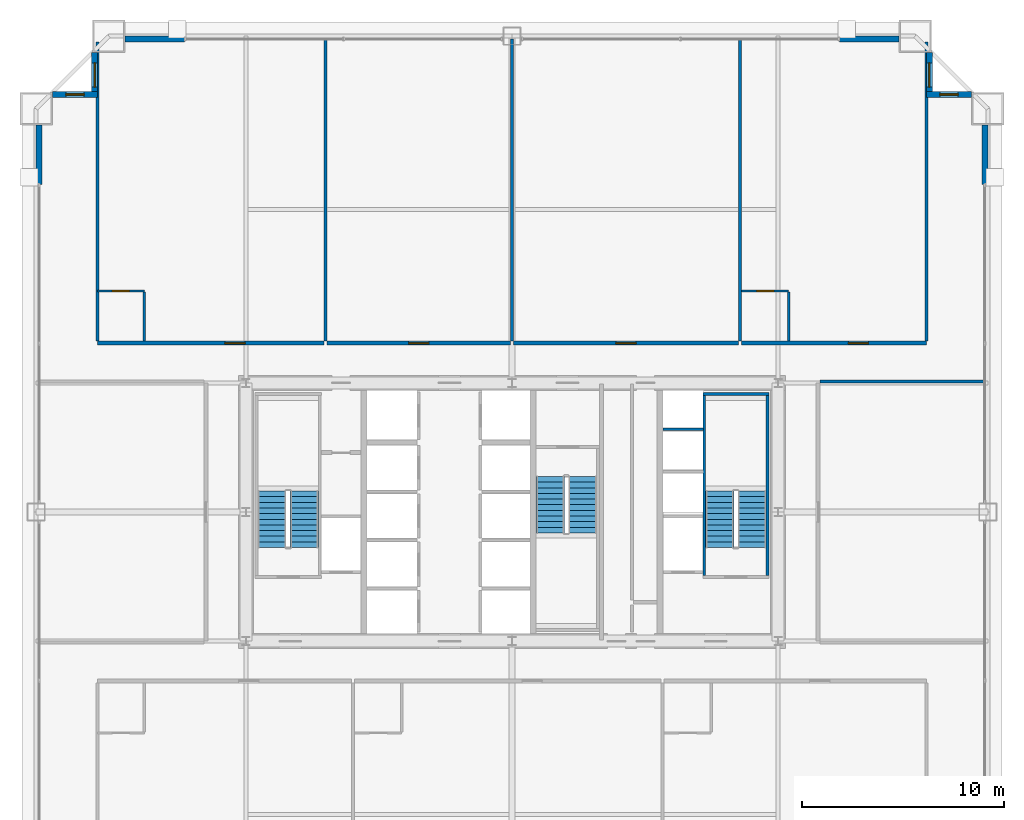
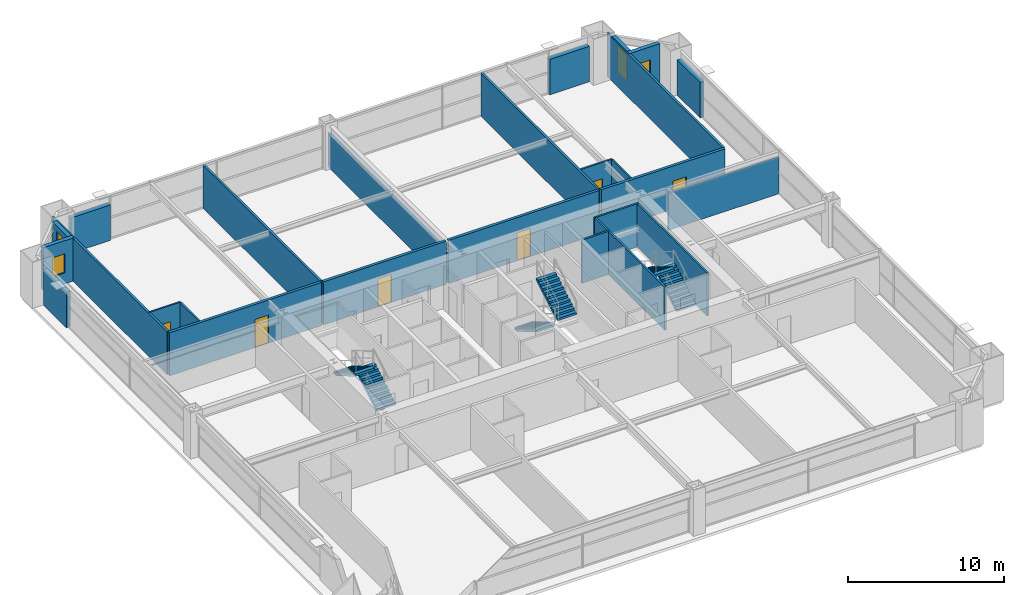
# One storey, part 36 of 37: 26 walls, 6 doors, 6 stair flights, 4 windows, 10 openings, 3 elements without a shape of their own.
"""IFC4 building model written with IfcOpenShell, lengths in metres."""

from ifc_helpers import new_model, si_unit, direction, frame, frame_2d, origin, place, context, subcontext, project, spatial, polyline, rectangle, outline, extrude, source, transform, mapped, material, layer, layer_set, type_object, element, fill, aggregate, save


model = new_model("IFC4")

# Units and contexts
model_context = context("Model", 3, precision=1e-05, world=origin(), true_north=direction((0.0, 1.0)))
body_context = subcontext(model_context, "Body", "Model", "MODEL_VIEW")
ifc_project = project(units=[si_unit("LENGTHUNIT", "METRE"), si_unit("AREAUNIT", "SQUARE_METRE"), si_unit("VOLUMEUNIT", "CUBIC_METRE"), si_unit("PLANEANGLEUNIT", "RADIAN"), si_unit("MASSUNIT", "GRAM", prefix="KILO"), si_unit("THERMODYNAMICTEMPERATUREUNIT", "KELVIN"), si_unit("POWERUNIT", "WATT")], contexts=[model_context])

# Site, building, storey
site_placement = place(None, origin())
site = spatial("IfcSite", under=ifc_project, at=site_placement, CompositionType="ELEMENT")
building_placement = place(site_placement, origin())
building = spatial("IfcBuilding", under=site, at=building_placement, Name="Yuzanri Waterfront Tower", CompositionType="ELEMENT")
storey_placement = place(building_placement, frame((0.0, 0.0, 104.60009765625)))
storey = spatial("IfcBuildingStorey", under=building, at=storey_placement, Name="L27", CompositionType="ELEMENT", Elevation=104.60009765625)

# Wall, opening, door
ifc_material_1 = material(Name="Moisture-Resistant Gypsum Stud Wall", Category="gypsum")
ifc_layer_1 = layer(ifc_material_1, 0.1201171875)
ifc_layer_set_1 = layer_set([ifc_layer_1], Name="Moisture-Resistant Gypsum Stud Wall")
wall_type_1 = type_object("IfcWallType", Name="Bathroom and Kitchen Wet Partition 120", PredefinedType="PARTITIONING", material=ifc_layer_set_1)
wall_1_placement = place(storey_placement, frame((16.43994140625, 36.760009765625, 0.0), z_axis=(0.0, 0.0, 1.0), x_axis=(1.0, 0.0, 0.0)))
wall_1 = element("IfcWall", 1, at=wall_1_placement, inside=storey, type_object=wall_type_1, Name="L27 Partition UW-L27-N1-BN", PredefinedType="PARTITIONING", context=body_context, shape_type="SweptSolid", body=[
    extrude(rectangle(XDim=2.330078125, YDim=0.1201171875, at=frame_2d((1.1650390625, 0.0))), origin(), (0.0, 0.0, 1.0), 3.3798828125),
])
opening_1_placement = place(wall_1_placement, frame((0.739990234375, 0.0, 0.0)))
opening_1 = element("IfcOpeningElement", 2, at=opening_1_placement, cuts=wall_1, Name="Opening ID-0850", PredefinedType="OPENING", context=body_context, shape_type="SweptSolid", body=[
    extrude(rectangle(XDim=0.85009765625, YDim=2.10009765625, at=frame_2d((0.425048828125, 1.050048828125))), frame((0.0, 0.074951171875, 0.0), z_axis=(0.0, -1.0, 0.0), x_axis=(1.0, 0.0, 0.0)), (0.0, 0.0, 1.0), 0.14990234375),
])
ifc_material_2 = material(Name="Moisture-Resistant Lacquered Timber", Category="wood")
door_type_1 = type_object("IfcDoorType", Name="En-Suite Bathroom and Kitchen Swing Door 850x2100", OperationType="NOTDEFINED", PredefinedType="DOOR", material=ifc_material_2)
shared_shape_1 = source(origin(), body_context, "Body", "SweptSolid", [
    extrude(rectangle(XDim=0.85009765625, YDim=2.10009765625, at=frame_2d((0.425048828125, 1.050048828125))), frame((0.0, 0.02490234375, 0.0), z_axis=(0.0, -1.0, 0.0), x_axis=(1.0, 0.0, 0.0)), (0.0, 0.0, 1.0), 0.050048828125),
])
door_1_placement = place(opening_1_placement, origin())
door_1 = element("IfcDoor", 3, at=door_1_placement, inside=storey, type_object=door_type_1, Name="L27 Guest En-Suite Door", OperationType="SINGLE_SWING_RIGHT", OverallHeight=2.10009765625, OverallWidth=0.85009765625, PredefinedType="DOOR", context=body_context, shape_type="MappedRepresentation", body=[
    mapped(shared_shape_1, transform((0.0, 0.0, 0.0), scale=1.0)),
])
fill(opening_1, door_1)

wall_2_placement = place(storey_placement, frame((48.387939453125, 36.760009765625, 0.0), z_axis=(0.0, 0.0, 1.0), x_axis=(1.0, 0.0, 0.0)))
wall_2 = element("IfcWall", 4, at=wall_2_placement, inside=storey, type_object=wall_type_1, Name="L27 Partition UW-L27-N4-BN", PredefinedType="PARTITIONING", context=body_context, shape_type="SweptSolid", body=[
    extrude(rectangle(XDim=2.330078125, YDim=0.1201171875, at=frame_2d((1.1650390625, 0.0))), origin(), (0.0, 0.0, 1.0), 3.3798828125),
])
opening_2_placement = place(wall_2_placement, frame((0.739990234375, 0.0, 0.0)))
opening_2 = element("IfcOpeningElement", 5, at=opening_2_placement, cuts=wall_2, Name="Opening ID-0850", PredefinedType="OPENING", context=body_context, shape_type="SweptSolid", body=[
    extrude(rectangle(XDim=0.85009765625, YDim=2.10009765625, at=frame_2d((0.425048828125, 1.050048828125))), frame((0.0, 0.074951171875, 0.0), z_axis=(0.0, -1.0, 0.0), x_axis=(1.0, 0.0, 0.0)), (0.0, 0.0, 1.0), 0.14990234375),
])
door_2_placement = place(opening_2_placement, origin())
door_2 = element("IfcDoor", 6, at=door_2_placement, inside=storey, type_object=door_type_1, Name="L27 Guest En-Suite Door", OperationType="SINGLE_SWING_RIGHT", OverallHeight=2.10009765625, OverallWidth=0.85009765625, PredefinedType="DOOR", context=body_context, shape_type="MappedRepresentation", body=[
    mapped(shared_shape_1, transform((0.0, 0.0, 0.0), scale=1.0)),
])
fill(opening_2, door_2)

# Wall, opening, window
ifc_material_3 = material(Name="Honed Chongqing Dark Basalt Stone", Category="masonry")
ifc_layer_2 = layer(ifc_material_3, 0.300048828125)
ifc_layer_set_2 = layer_set([ifc_layer_2], Name="Honed Chongqing Dark Basalt Stone")
wall_type_2 = type_object("IfcWallType", Name="Bronze Rainscreen Insulated Spandrel Portal Wall 300", PredefinedType="SOLIDWALL", material=ifc_layer_set_2)
wall_3_placement = place(storey_placement, frame((16.449951171875, 46.5, 0.0), z_axis=(0.0, 0.0, 1.0), x_axis=(-1.0, 0.0, 0.0)))
wall_3 = element("IfcWall", 7, at=wall_3_placement, inside=storey, type_object=wall_type_2, Name="L27 Notched Corner Masonry Wall NW-X", PredefinedType="SOLIDWALL", context=body_context, shape_type="SweptSolid", body=[
    extrude(rectangle(XDim=2.25, YDim=0.300048828125, at=frame_2d((1.125, 0.0))), origin(), (0.0, 0.0, 1.0), 3.3798828125),
])
opening_3_placement = place(wall_3_placement, frame((0.675048828125, 0.0, 0.85009765625)))
opening_3 = element("IfcOpeningElement", 8, at=opening_3_placement, cuts=wall_3, Name="Opening WN-05", PredefinedType="OPENING", context=body_context, shape_type="SweptSolid", body=[
    extrude(rectangle(XDim=0.89990234375, YDim=1.5, at=frame_2d((0.449951171875, 0.75))), frame((0.0, 0.1650390625, 0.0), z_axis=(0.0, -1.0, 0.0), x_axis=(1.0, 0.0, 0.0)), (0.0, 0.0, 1.0), 0.329833984375),
])
ifc_material_4 = material(Name="Double-Silver Low-E Insulated Glass", Category="glass")
window_type_1 = type_object("IfcWindowType", Name="Anodized Bronze Service and Stairwell Smoke-Vent Window 900x1500", PartitioningType="SINGLE_PANEL", PredefinedType="WINDOW", material=ifc_material_4)
shared_shape_2 = source(origin(), body_context, "Body", "SweptSolid", [
    extrude(rectangle(XDim=0.89990234375, YDim=1.5, at=frame_2d((0.449951171875, 0.75))), frame((0.0, 0.030029296875, 0.0), z_axis=(0.0, -1.0, 0.0), x_axis=(1.0, 0.0, 0.0)), (0.0, 0.0, 1.0), 0.06005859375),
])
window_1_placement = place(opening_3_placement, origin())
window_1 = element("IfcWindow", 9, at=window_1_placement, inside=storey, type_object=window_type_1, Name="L27 Notched Corner Window NW-X", OverallHeight=1.5, OverallWidth=0.89990234375, PartitioningType="SINGLE_PANEL", PredefinedType="WINDOW", context=body_context, shape_type="MappedRepresentation", body=[
    mapped(shared_shape_2, transform((0.0, 0.0, 0.0), scale=1.0)),
])
fill(opening_3, window_1)

wall_4_placement = place(storey_placement, frame((16.300048828125, 48.60009765625, 0.0), z_axis=(0.0, 0.0, 1.0), x_axis=(0.0, -1.0, 0.0)))
wall_4 = element("IfcWall", 10, at=wall_4_placement, inside=storey, type_object=wall_type_2, Name="L27 Notched Corner Masonry Wall NW-Y", PredefinedType="SOLIDWALL", context=body_context, shape_type="SweptSolid", body=[
    extrude(rectangle(XDim=2.25, YDim=0.300048828125, at=frame_2d((1.125, 0.0))), origin(), (0.0, 0.0, 1.0), 3.3798828125),
])
opening_4_placement = place(wall_4_placement, frame((0.52490234375, 0.0, 0.85009765625)))
opening_4 = element("IfcOpeningElement", 11, at=opening_4_placement, cuts=wall_4, Name="Opening WN-02", PredefinedType="OPENING", context=body_context, shape_type="SweptSolid", body=[
    extrude(rectangle(XDim=1.199951171875, YDim=2.10009765625, at=frame_2d((0.60009765625, 1.050048828125))), frame((0.0, 0.1650390625, 0.0), z_axis=(0.0, -1.0, 0.0), x_axis=(1.0, 0.0, 0.0)), (0.0, 0.0, 1.0), 0.329833984375),
])
ifc_material_5 = material(Name="Double-Silver Low-E Insulated Glass", Category="glass")
window_type_2 = type_object("IfcWindowType", Name="Anodized Bronze Notched Corner Deep-Set Slot Window 1200x2100", PartitioningType="SINGLE_PANEL", PredefinedType="WINDOW", material=ifc_material_5)
shared_shape_3 = source(origin(), body_context, "Body", "SweptSolid", [
    extrude(rectangle(XDim=1.199951171875, YDim=2.10009765625, at=frame_2d((0.60009765625, 1.050048828125))), frame((0.0, 0.030029296875, 0.0), z_axis=(0.0, -1.0, 0.0), x_axis=(1.0, 0.0, 0.0)), (0.0, 0.0, 1.0), 0.06005859375),
])
window_2_placement = place(opening_4_placement, origin())
window_2 = element("IfcWindow", 12, at=window_2_placement, inside=storey, type_object=window_type_2, Name="L27 Notched Corner Window NW-Y", OverallHeight=2.10009765625, OverallWidth=1.199951171875, PartitioningType="SINGLE_PANEL", PredefinedType="WINDOW", context=body_context, shape_type="MappedRepresentation", body=[
    mapped(shared_shape_3, transform((0.0, 0.0, 0.0), scale=1.0)),
])
fill(opening_4, window_2)

wall_5_placement = place(storey_placement, frame((59.800048828125, 46.5, 0.0), z_axis=(0.0, 0.0, 1.0), x_axis=(-1.0, 0.0, 0.0)))
wall_5 = element("IfcWall", 13, at=wall_5_placement, inside=storey, type_object=wall_type_2, Name="L27 Notched Corner Masonry Wall NE-X", PredefinedType="SOLIDWALL", context=body_context, shape_type="SweptSolid", body=[
    extrude(rectangle(XDim=2.25, YDim=0.300048828125, at=frame_2d((1.125, 0.0))), origin(), (0.0, 0.0, 1.0), 3.3798828125),
])
opening_5_placement = place(wall_5_placement, frame((0.675048828125, 0.0, 0.85009765625)))
opening_5 = element("IfcOpeningElement", 14, at=opening_5_placement, cuts=wall_5, Name="Opening WN-05", PredefinedType="OPENING", context=body_context, shape_type="SweptSolid", body=[
    extrude(rectangle(XDim=0.89990234375, YDim=1.5, at=frame_2d((0.449951171875, 0.75))), frame((0.0, 0.1650390625, 0.0), z_axis=(0.0, -1.0, 0.0), x_axis=(1.0, 0.0, 0.0)), (0.0, 0.0, 1.0), 0.329833984375),
])
window_3_placement = place(opening_5_placement, origin())
window_3 = element("IfcWindow", 15, at=window_3_placement, inside=storey, type_object=window_type_1, Name="L27 Notched Corner Window NE-X", OverallHeight=1.5, OverallWidth=0.89990234375, PartitioningType="SINGLE_PANEL", PredefinedType="WINDOW", context=body_context, shape_type="MappedRepresentation", body=[
    mapped(shared_shape_2, transform((0.0, 0.0, 0.0), scale=1.0)),
])
fill(opening_5, window_3)

wall_6_placement = place(storey_placement, frame((57.699951171875, 46.35009765625, 0.0), z_axis=(0.0, 0.0, 1.0), x_axis=(0.0, 1.0, 0.0)))
wall_6 = element("IfcWall", 16, at=wall_6_placement, inside=storey, type_object=wall_type_2, Name="L27 Notched Corner Masonry Wall NE-Y", PredefinedType="SOLIDWALL", context=body_context, shape_type="SweptSolid", body=[
    extrude(rectangle(XDim=2.25, YDim=0.300048828125, at=frame_2d((1.125, 0.0))), origin(), (0.0, 0.0, 1.0), 3.3798828125),
])
opening_6_placement = place(wall_6_placement, frame((0.52490234375, 0.0, 0.85009765625)))
opening_6 = element("IfcOpeningElement", 17, at=opening_6_placement, cuts=wall_6, Name="Opening WN-02", PredefinedType="OPENING", context=body_context, shape_type="SweptSolid", body=[
    extrude(rectangle(XDim=1.199951171875, YDim=2.10009765625, at=frame_2d((0.60009765625, 1.050048828125))), frame((0.0, 0.1650390625, 0.0), z_axis=(0.0, -1.0, 0.0), x_axis=(1.0, 0.0, 0.0)), (0.0, 0.0, 1.0), 0.329833984375),
])
window_4_placement = place(opening_6_placement, origin())
window_4 = element("IfcWindow", 18, at=window_4_placement, inside=storey, type_object=window_type_2, Name="L27 Notched Corner Window NE-Y", OverallHeight=2.10009765625, OverallWidth=1.199951171875, PartitioningType="SINGLE_PANEL", PredefinedType="WINDOW", context=body_context, shape_type="MappedRepresentation", body=[
    mapped(shared_shape_3, transform((0.0, 0.0, 0.0), scale=1.0)),
])
fill(opening_6, window_4)

# Wall, opening, door
ifc_material_6 = material(Name="Autoclaved Aerated Concrete Blockwork", Category="masonry")
ifc_layer_3 = layer(ifc_material_6, 0.199951171875)
ifc_layer_set_3 = layer_set([ifc_layer_3], Name="Autoclaved Aerated Concrete Blockwork")
wall_type_3 = type_object("IfcWallType", Name="Corridor and Unit Party Fire Wall 200", PredefinedType="PARTITIONING", material=ifc_layer_set_3)
wall_7_placement = place(storey_placement, frame((16.43994140625, 34.179931640625, 0.0), z_axis=(0.0, 0.0, 1.0), x_axis=(1.0, 0.0, 0.0)))
wall_7 = element("IfcWall", 19, at=wall_7_placement, inside=storey, type_object=wall_type_3, Name="L27 Partition UW-L27-N1-CS", PredefinedType="PARTITIONING", context=body_context, shape_type="SweptSolid", body=[
    extrude(rectangle(XDim=11.22802734375, YDim=0.199951171875, at=frame_2d((5.614013671875, 0.0))), origin(), (0.0, 0.0, 1.0), 3.3798828125),
])
opening_7_placement = place(wall_7_placement, frame((6.319091796875, 0.0, 0.0)))
opening_7 = element("IfcOpeningElement", 20, at=opening_7_placement, cuts=wall_7, Name="Opening FD-1000", PredefinedType="OPENING", context=body_context, shape_type="SweptSolid", body=[
    extrude(rectangle(XDim=1.0, YDim=2.199951171875, at=frame_2d((0.5, 1.10009765625))), frame((0.0, 0.11474609375, 0.0), z_axis=(0.0, -1.0, 0.0), x_axis=(1.0, 0.0, 0.0)), (0.0, 0.0, 1.0), 0.229736328125),
])
ifc_material_7 = material(Name="Engineered Oak Fire-Rated Timber", Category="wood")
door_type_2 = type_object("IfcDoorType", Name="Guestroom and Apartment Entrance Fire Door 1000x2200", OperationType="NOTDEFINED", PredefinedType="DOOR", material=ifc_material_7)
shared_shape_4 = source(origin(), body_context, "Body", "SweptSolid", [
    extrude(rectangle(XDim=1.0, YDim=2.199951171875, at=frame_2d((0.5, 1.10009765625))), frame((0.0, 0.02490234375, 0.0), z_axis=(0.0, -1.0, 0.0), x_axis=(1.0, 0.0, 0.0)), (0.0, 0.0, 1.0), 0.050048828125),
])
door_3_placement = place(opening_7_placement, origin())
door_3 = element("IfcDoor", 21, at=door_3_placement, inside=storey, type_object=door_type_2, Name="L27 Cityview Executive Suite Entrance Door", OperationType="SINGLE_SWING_LEFT", OverallHeight=2.199951171875, OverallWidth=1.0, PredefinedType="DOOR", context=body_context, shape_type="MappedRepresentation", body=[
    mapped(shared_shape_4, transform((0.0, 0.0, 0.0), scale=1.0)),
])
fill(opening_7, door_3)

wall_8_placement = place(storey_placement, frame((27.827880859375, 34.179931640625, 0.0), z_axis=(0.0, 0.0, 1.0), x_axis=(1.0, 0.0, 0.0)))
wall_8 = element("IfcWall", 22, at=wall_8_placement, inside=storey, type_object=wall_type_3, Name="L27 Partition UW-L27-N2-CS", PredefinedType="PARTITIONING", context=body_context, shape_type="SweptSolid", body=[
    extrude(rectangle(XDim=9.092041015625, YDim=0.199951171875, at=frame_2d((4.5458984375, 0.0))), origin(), (0.0, 0.0, 1.0), 3.3798828125),
])
opening_8_placement = place(wall_8_placement, frame((4.0458984375, 0.0, 0.0)))
opening_8 = element("IfcOpeningElement", 23, at=opening_8_placement, cuts=wall_8, Name="Opening FD-1000", PredefinedType="OPENING", context=body_context, shape_type="SweptSolid", body=[
    extrude(rectangle(XDim=1.0, YDim=2.199951171875, at=frame_2d((0.5, 1.10009765625))), frame((0.0, 0.11474609375, 0.0), z_axis=(0.0, -1.0, 0.0), x_axis=(1.0, 0.0, 0.0)), (0.0, 0.0, 1.0), 0.229736328125),
])
door_4_placement = place(opening_8_placement, origin())
door_4 = element("IfcDoor", 24, at=door_4_placement, inside=storey, type_object=door_type_2, Name="L27 Diplomatic Boardroom A Entrance Door", OperationType="SINGLE_SWING_LEFT", OverallHeight=2.199951171875, OverallWidth=1.0, PredefinedType="DOOR", context=body_context, shape_type="MappedRepresentation", body=[
    mapped(shared_shape_4, transform((0.0, 0.0, 0.0), scale=1.0)),
])
fill(opening_8, door_4)

wall_9_placement = place(storey_placement, frame((37.080078125, 34.179931640625, 0.0), z_axis=(0.0, 0.0, 1.0), x_axis=(1.0, 0.0, 0.0)))
wall_9 = element("IfcWall", 25, at=wall_9_placement, inside=storey, type_object=wall_type_3, Name="L27 Partition UW-L27-N3-CS", PredefinedType="PARTITIONING", context=body_context, shape_type="SweptSolid", body=[
    extrude(rectangle(XDim=11.14794921875, YDim=0.199951171875, at=frame_2d((5.573974609375, 0.0))), origin(), (0.0, 0.0, 1.0), 3.3798828125),
])
opening_9_placement = place(wall_9_placement, frame((5.073974609375, 0.0, 0.0)))
opening_9 = element("IfcOpeningElement", 26, at=opening_9_placement, cuts=wall_9, Name="Opening FD-1000", PredefinedType="OPENING", context=body_context, shape_type="SweptSolid", body=[
    extrude(rectangle(XDim=1.0, YDim=2.199951171875, at=frame_2d((0.5, 1.10009765625))), frame((0.0, 0.11474609375, 0.0), z_axis=(0.0, -1.0, 0.0), x_axis=(1.0, 0.0, 0.0)), (0.0, 0.0, 1.0), 0.229736328125),
])
door_5_placement = place(opening_9_placement, origin())
door_5 = element("IfcDoor", 27, at=door_5_placement, inside=storey, type_object=door_type_2, Name="L27 Diplomatic Boardroom B Entrance Door", OperationType="SINGLE_SWING_RIGHT", OverallHeight=2.199951171875, OverallWidth=1.0, PredefinedType="DOOR", context=body_context, shape_type="MappedRepresentation", body=[
    mapped(shared_shape_4, transform((0.0, 0.0, 0.0), scale=1.0)),
])
fill(opening_9, door_5)

wall_10_placement = place(storey_placement, frame((48.387939453125, 34.179931640625, 0.0), z_axis=(0.0, 0.0, 1.0), x_axis=(1.0, 0.0, 0.0)))
wall_10 = element("IfcWall", 28, at=wall_10_placement, inside=storey, type_object=wall_type_3, Name="L27 Partition UW-L27-N4-CS", PredefinedType="PARTITIONING", context=body_context, shape_type="SweptSolid", body=[
    extrude(rectangle(XDim=9.172119140625, YDim=0.199951171875, at=frame_2d((4.5859375, 0.0))), origin(), (0.0, 0.0, 1.0), 3.3798828125),
])
opening_10_placement = place(wall_10_placement, frame((5.291015625, 0.0, 0.0)))
opening_10 = element("IfcOpeningElement", 29, at=opening_10_placement, cuts=wall_10, Name="Opening FD-1000", PredefinedType="OPENING", context=body_context, shape_type="SweptSolid", body=[
    extrude(rectangle(XDim=1.0, YDim=2.199951171875, at=frame_2d((0.5, 1.10009765625))), frame((0.0, 0.11474609375, 0.0), z_axis=(0.0, -1.0, 0.0), x_axis=(1.0, 0.0, 0.0)), (0.0, 0.0, 1.0), 0.229736328125),
])
door_6_placement = place(opening_10_placement, origin())
door_6 = element("IfcDoor", 30, at=door_6_placement, inside=storey, type_object=door_type_2, Name="L27 Cityview Executive Suite Entrance Door", OperationType="SINGLE_SWING_LEFT", OverallHeight=2.199951171875, OverallWidth=1.0, PredefinedType="DOOR", context=body_context, shape_type="MappedRepresentation", body=[
    mapped(shared_shape_4, transform((0.0, 0.0, 0.0), scale=1.0)),
])
fill(opening_10, door_6)

# Walls
shared_shape_5 = source(origin(), body_context, "Body", "SweptSolid", [
    extrude(rectangle(XDim=2.949951171875, YDim=0.300048828125, at=frame_2d((1.47509765625, 0.0))), origin(), (0.0, 0.0, 1.0), 2.77490234375),
])
for number, where, z_axis, x_axis, name in (
    (31, (17.800048828125, 49.25, 0.0), (0.0, 0.0, 1.0), (1.0, 0.0, 0.0), "L27 N Left Braced Masonry Shoulder"),
    (32, (53.25, 49.25, 0.0), (0.0, 0.0, 1.0), (1.0, 0.0, 0.0), "L27 N Right Braced Masonry Shoulder"),
    (33, (13.550048828125, 42.050048828125, 0.0), (0.0, 0.0, 1.0), (0.0, 1.0, 0.0), "L27 W Right Braced Masonry Shoulder"),
    (34, (60.449951171875, 42.050048828125, 0.0), (0.0, 0.0, 1.0), (0.0, 1.0, 0.0), "L27 E Right Braced Masonry Shoulder"),
):
    element("IfcWall", number, at=place(storey_placement, frame(where, z_axis=z_axis, x_axis=x_axis)), inside=storey, type_object=wall_type_2, Name=name, PredefinedType="SOLIDWALL", context=body_context, shape_type="MappedRepresentation", body=[
        mapped(shared_shape_5, transform((0.0, 0.0, 0.0), scale=1.0)),
    ])
ifc_material_8 = material(Name="Concrete C40", Category="concrete")
ifc_layer_4 = layer(ifc_material_8, 0.139892578125)
ifc_layer_set_4 = layer_set([ifc_layer_4], Name="Concrete C40")
wall_type_4 = type_object("IfcWallType", Name="Core Stair Liner and Hoistway Shaft Wall 140", PredefinedType="SOLIDWALL", material=ifc_layer_set_4)
shared_shape_6 = source(origin(), body_context, "Body", "SweptSolid", [
    extrude(rectangle(XDim=2.0, YDim=0.139892578125, at=frame_2d((1.0, 0.0))), origin(), (0.0, 0.0, 1.0), 3.3798828125),
])
wall_11_placement = place(storey_placement, frame((44.5, 29.89990234375, 0.0), z_axis=(0.0, 0.0, 1.0), x_axis=(1.0, 0.0, 0.0)))
element("IfcWall", 35, at=wall_11_placement, inside=storey, type_object=wall_type_4, Name="L27 Lift PL-10 Divider Wall", PredefinedType="SOLIDWALL", context=body_context, shape_type="MappedRepresentation", body=[
    mapped(shared_shape_6, transform((0.0, 0.0, 0.0), scale=1.0)),
])
shared_shape_7 = source(origin(), body_context, "Body", "SweptSolid", [
    extrude(rectangle(XDim=3.280029296875, YDim=0.139892578125, at=frame_2d((1.64013671875, 0.0))), origin(), (0.0, 0.0, 1.0), 3.3798828125),
])
wall_12_placement = place(storey_placement, frame((46.4599609375, 31.64990234375, 0.0), z_axis=(0.0, 0.0, 1.0), x_axis=(1.0, 0.0, 0.0)))
element("IfcWall", 36, at=wall_12_placement, inside=storey, type_object=wall_type_4, Name="L27 Stair ST-02 North Shaft Wall", PredefinedType="SOLIDWALL", context=body_context, shape_type="MappedRepresentation", body=[
    mapped(shared_shape_7, transform((0.0, 0.0, 0.0), scale=1.0)),
])
shared_shape_8 = source(origin(), body_context, "Body", "SweptSolid", [
    extrude(rectangle(XDim=8.940185546875, YDim=0.139892578125, at=frame_2d((4.47021484375, 0.0))), origin(), (0.0, 0.0, 1.0), 3.3798828125),
])
for number, where, z_axis, x_axis, name in (
    (37, (46.530029296875, 22.639892578125, 0.0), (0.0, 0.0, 1.0), (0.0, 1.0, 0.0), "L27 Stair ST-02 West Shaft Wall"),
    (38, (49.669921875, 22.639892578125, 0.0), (0.0, 0.0, 1.0), (0.0, 1.0, 0.0), "L27 Stair ST-02 East Shaft Wall"),
):
    element("IfcWall", number, at=place(storey_placement, frame(where, z_axis=z_axis, x_axis=x_axis)), inside=storey, type_object=wall_type_4, Name=name, PredefinedType="SOLIDWALL", context=body_context, shape_type="MappedRepresentation", body=[
        mapped(shared_shape_8, transform((0.0, 0.0, 0.0), scale=1.0)),
    ])
shared_shape_9 = source(origin(), body_context, "Body", "SweptSolid", [
    extrude(rectangle(XDim=2.419921875, YDim=0.1201171875, at=frame_2d((1.2099609375, 0.0))), origin(), (0.0, 0.0, 1.0), 3.3798828125),
])
for number, where, z_axis, x_axis, name in (
    (39, (18.77001953125, 34.280029296875, 0.0), (0.0, 0.0, 1.0), (0.0, 1.0, 0.0), "L27-N1 En-Suite Side Wall"),
    (40, (50.718017578125, 34.280029296875, 0.0), (0.0, 0.0, 1.0), (0.0, 1.0, 0.0), "L27-N4 En-Suite Side Wall"),
):
    element("IfcWall", number, at=place(storey_placement, frame(where, z_axis=z_axis, x_axis=x_axis)), inside=storey, type_object=wall_type_1, Name=name, PredefinedType="PARTITIONING", context=body_context, shape_type="MappedRepresentation", body=[
        mapped(shared_shape_9, transform((0.0, 0.0, 0.0), scale=1.0)),
    ])
ifc_material_9 = material(Name="Gypsum Fireboard Acoustic Stud Wall", Category="gypsum")
ifc_layer_5 = layer(ifc_material_9, 0.159912109375)
ifc_layer_set_5 = layer_set([ifc_layer_5], Name="Gypsum Fireboard Acoustic Stud Wall")
wall_type_5 = type_object("IfcWallType", Name="Acoustic Suite Demising Partition 160", PredefinedType="PARTITIONING", material=ifc_layer_set_5)
shared_shape_10 = source(origin(), body_context, "Body", "SweptSolid", [
    extrude(rectangle(XDim=8.169921875, YDim=0.159912109375, at=frame_2d((4.0849609375, 0.0))), origin(), (0.0, 0.0, 1.0), 2.875),
])
wall_13_placement = place(storey_placement, frame((52.280029296875, 32.27001953125, 0.0), z_axis=(0.0, 0.0, 1.0), x_axis=(1.0, 0.0, 0.0)))
element("IfcWall", 41, at=wall_13_placement, inside=storey, type_object=wall_type_5, Name="L27-E1 Wing North End Wall", PredefinedType="PARTITIONING", context=body_context, shape_type="MappedRepresentation", body=[
    mapped(shared_shape_10, transform((0.0, 0.0, 0.0), scale=1.0)),
])
shared_shape_11 = source(origin(), body_context, "Body", "SweptSolid", [
    extrude(rectangle(XDim=14.969970703125, YDim=0.159912109375, at=frame_2d((7.48486328125, 0.0))), origin(), (0.0, 0.0, 1.0), 3.3798828125),
])
for number, where, z_axis, x_axis, name in (
    (42, (27.748046875, 34.280029296875, 0.0), (0.0, 0.0, 1.0), (0.0, 1.0, 0.0), "L27-N1 Party Wall"),
    (43, (48.30810546875, 34.280029296875, 0.0), (0.0, 0.0, 1.0), (0.0, 1.0, 0.0), "L27-N3 Party Wall"),
):
    element("IfcWall", number, at=place(storey_placement, frame(where, z_axis=z_axis, x_axis=x_axis)), inside=storey, type_object=wall_type_5, Name=name, PredefinedType="PARTITIONING", context=body_context, shape_type="MappedRepresentation", body=[
        mapped(shared_shape_11, transform((0.0, 0.0, 0.0), scale=1.0)),
    ])
shared_shape_12 = source(origin(), body_context, "Body", "SweptSolid", [
    extrude(rectangle(XDim=14.820068359375, YDim=0.159912109375, at=frame_2d((7.41015625, 0.0))), origin(), (0.0, 0.0, 1.0), 3.3798828125),
])
for number, where, z_axis, x_axis, name in (
    (44, (16.449951171875, 34.280029296875, 0.0), (0.0, 0.0, 1.0), (0.0, 1.0, 0.0), "L27 North Band West End Wall"),
    (45, (57.550048828125, 34.280029296875, 0.0), (0.0, 0.0, 1.0), (0.0, 1.0, 0.0), "L27 North Band East End Wall"),
):
    element("IfcWall", number, at=place(storey_placement, frame(where, z_axis=z_axis, x_axis=x_axis)), inside=storey, type_object=wall_type_5, Name=name, PredefinedType="PARTITIONING", context=body_context, shape_type="MappedRepresentation", body=[
        mapped(shared_shape_12, transform((0.0, 0.0, 0.0), scale=1.0)),
    ])
shared_shape_13 = source(origin(), body_context, "Body", "SweptSolid", [
    extrude(rectangle(XDim=14.969970703125, YDim=0.159912109375, at=frame_2d((7.48486328125, 0.0))), origin(), (0.0, 0.0, 1.0), 2.6748046875),
])
wall_14_placement = place(storey_placement, frame((37.0, 34.280029296875, 0.0), z_axis=(0.0, 0.0, 1.0), x_axis=(0.0, 1.0, 0.0)))
element("IfcWall", 46, at=wall_14_placement, inside=storey, type_object=wall_type_5, Name="L27-N2 Party Wall", PredefinedType="PARTITIONING", context=body_context, shape_type="MappedRepresentation", body=[
    mapped(shared_shape_13, transform((0.0, 0.0, 0.0), scale=1.0)),
])

# Stair, stair flights
ifc_material_10 = material(Name="Concrete C40", Category="concrete")
stair_type = type_object("IfcStairType", Name="Concrete C40 Core Dogleg Exit Stair", PredefinedType="HALF_TURN_STAIR", material=ifc_material_10)
stair_1_placement = place(storey_placement, origin())
stair_1 = element("IfcStair", 47, at=stair_1_placement, inside=storey, type_object=stair_type, Name="L27 Smoke-Proof Core Stair ST-01", PredefinedType="HALF_TURN_STAIR")
ifc_material_11 = material(Name="Concrete C40", Category="concrete")
stair_flight_type = type_object("IfcStairFlightType", Name="Concrete C40 Precast Stair Flight 1380", PredefinedType="STRAIGHT", material=ifc_material_11)
shared_shape_14 = source(origin(), body_context, "Body", "SweptSolid", [
    extrude(outline(polyline([(0.0, 0.0), (0.0, 0.16357421875), (0.280029296875, 0.16357421875), (0.280029296875, 0.327392578125), (0.56005859375, 0.327392578125), (0.56005859375, 0.490966796875), (0.840087890625, 0.490966796875), (0.840087890625, 0.654541015625), (1.1201171875, 0.654541015625), (1.1201171875, 0.818115234375), (1.39990234375, 0.818115234375), (1.39990234375, 0.98193359375), (1.679931640625, 0.98193359375), (1.679931640625, 1.1455078125), (1.9599609375, 1.1455078125), (1.9599609375, 1.30908203125), (2.239990234375, 1.30908203125), (2.239990234375, 1.47265625), (2.52001953125, 1.47265625), (2.52001953125, 1.636474609375), (2.800048828125, 1.636474609375), (2.800048828125, 1.800048828125), (2.800048828125, 1.462646484375), (0.297119140625, 0.0), (0.0, 0.0)])), frame((0.0, 0.699951171875, 0.0), z_axis=(0.0, -1.0, 0.0), x_axis=(1.0, 0.0, 0.0)), (0.0, 0.0, 1.0), 1.39990234375),
])
stair_flight_1_placement = place(storey_placement, frame((26.699951171875, 24.0400390625, 0.0), z_axis=(0.0, 0.0, 1.0), x_axis=(0.0, 1.0, 0.0)))
stair_flight_1 = element("IfcStairFlight", 48, at=stair_flight_1_placement, type_object=stair_flight_type, Name="ST-01 flight 1", NumberOfRisers=11, NumberOfTreads=10, PredefinedType="STRAIGHT", RiserHeight=0.163636364, TreadLength=0.28, context=body_context, shape_type="MappedRepresentation", body=[
    mapped(shared_shape_14, transform((0.0, 0.0, 0.0), scale=1.0)),
])
stair_flight_2_placement = place(storey_placement, frame((25.10009765625, 26.840087890625, 1.7998046875), z_axis=(0.0, 0.0, 1.0), x_axis=(0.0, -1.0, 0.0)))
stair_flight_2 = element("IfcStairFlight", 49, at=stair_flight_2_placement, type_object=stair_flight_type, Name="ST-01 flight 2", NumberOfRisers=11, NumberOfTreads=10, PredefinedType="STRAIGHT", RiserHeight=0.163636364, TreadLength=0.28, context=body_context, shape_type="MappedRepresentation", body=[
    mapped(shared_shape_14, transform((0.0, 0.0, 0.0), scale=1.0)),
])
aggregate(stair_1, [stair_flight_1, stair_flight_2])

stair_2_placement = place(storey_placement, origin())
stair_2 = element("IfcStair", 50, at=stair_2_placement, inside=storey, type_object=stair_type, Name="L27 Smoke-Proof Core Stair ST-02", PredefinedType="HALF_TURN_STAIR")
stair_flight_3_placement = place(storey_placement, frame((48.89990234375, 24.0400390625, 0.0), z_axis=(0.0, 0.0, 1.0), x_axis=(0.0, 1.0, 0.0)))
stair_flight_3 = element("IfcStairFlight", 51, at=stair_flight_3_placement, type_object=stair_flight_type, Name="ST-02 flight 1", NumberOfRisers=11, NumberOfTreads=10, PredefinedType="STRAIGHT", RiserHeight=0.163636364, TreadLength=0.28, context=body_context, shape_type="MappedRepresentation", body=[
    mapped(shared_shape_14, transform((0.0, 0.0, 0.0), scale=1.0)),
])
stair_flight_4_placement = place(storey_placement, frame((47.300048828125, 26.840087890625, 1.7998046875), z_axis=(0.0, 0.0, 1.0), x_axis=(0.0, -1.0, 0.0)))
stair_flight_4 = element("IfcStairFlight", 52, at=stair_flight_4_placement, type_object=stair_flight_type, Name="ST-02 flight 2", NumberOfRisers=11, NumberOfTreads=10, PredefinedType="STRAIGHT", RiserHeight=0.163636364, TreadLength=0.28, context=body_context, shape_type="MappedRepresentation", body=[
    mapped(shared_shape_14, transform((0.0, 0.0, 0.0), scale=1.0)),
])
aggregate(stair_2, [stair_flight_3, stair_flight_4])

stair_3_placement = place(storey_placement, origin())
stair_3 = element("IfcStair", 53, at=stair_3_placement, inside=storey, type_object=stair_type, Name="L27 Smoke-Proof Core Stair ST-03", PredefinedType="HALF_TURN_STAIR")
stair_flight_5_placement = place(storey_placement, frame((38.89990234375, 27.56005859375, 0.0), z_axis=(0.0, 0.0, 1.0), x_axis=(0.0, -1.0, 0.0)))
stair_flight_5 = element("IfcStairFlight", 54, at=stair_flight_5_placement, type_object=stair_flight_type, Name="ST-03 flight 1", NumberOfRisers=11, NumberOfTreads=10, PredefinedType="STRAIGHT", RiserHeight=0.163636364, TreadLength=0.28, context=body_context, shape_type="MappedRepresentation", body=[
    mapped(shared_shape_14, transform((0.0, 0.0, 0.0), scale=1.0)),
])
stair_flight_6_placement = place(storey_placement, frame((40.5, 24.760009765625, 1.7998046875), z_axis=(0.0, 0.0, 1.0), x_axis=(0.0, 1.0, 0.0)))
stair_flight_6 = element("IfcStairFlight", 55, at=stair_flight_6_placement, type_object=stair_flight_type, Name="ST-03 flight 2", NumberOfRisers=11, NumberOfTreads=10, PredefinedType="STRAIGHT", RiserHeight=0.163636364, TreadLength=0.28, context=body_context, shape_type="MappedRepresentation", body=[
    mapped(shared_shape_14, transform((0.0, 0.0, 0.0), scale=1.0)),
])
aggregate(stair_3, [stair_flight_5, stair_flight_6])

save(model, "model.ifc")
